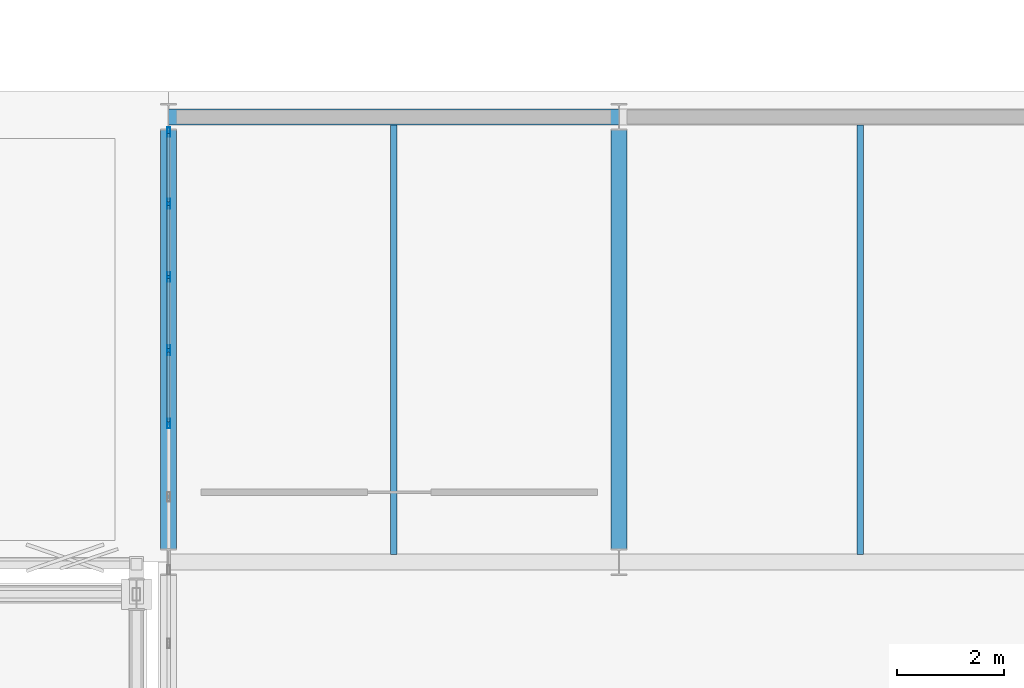
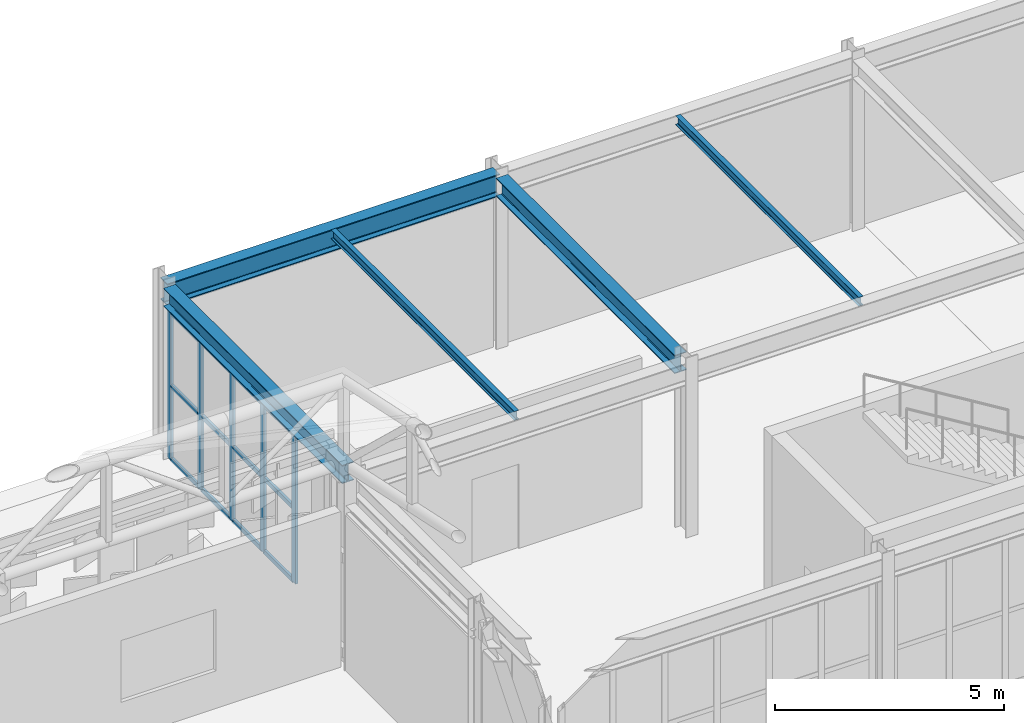
# One storey, part 37 of 112: 17 members, 5 beams, 1 element without a shape of its own.
"""IFC4 building model written with IfcOpenShell, lengths in metres."""

from ifc_helpers import new_model, si_unit, direction, frame, origin, origin_2d, place, context, subcontext, project, spatial, hollow_rectangle, i_section, extrude, material, material_profile, profile_set, type_object, element, aggregate, save


model = new_model("IFC4")

# Units and contexts
model_context = context("Model", 3, precision=1e-05, world=origin(), true_north=direction((0.0, 1.0)))
body_context = subcontext(model_context, "Body", "Model", "MODEL_VIEW")
ifc_project = project(units=[si_unit("LENGTHUNIT", "METRE"), si_unit("AREAUNIT", "SQUARE_METRE"), si_unit("VOLUMEUNIT", "CUBIC_METRE"), si_unit("PLANEANGLEUNIT", "RADIAN"), si_unit("MASSUNIT", "GRAM", prefix="KILO")], contexts=[model_context])

# Site, building, storey
site_placement = place(None, origin())
site = spatial("IfcSite", under=ifc_project, at=site_placement, CompositionType="ELEMENT")
building_placement = place(site_placement, origin())
building = spatial("IfcBuilding", under=site, at=building_placement, Name="Kaldris Quays Convention Centre", CompositionType="ELEMENT")
storey_placement = place(building_placement, frame((0.0, 0.0, 16.800048828125)))
storey = spatial("IfcBuildingStorey", under=building, at=storey_placement, Name="L03", CompositionType="ELEMENT", Elevation=16.800048828125)

# Curtain wall, members
ifc_material_1 = material(Name="Anodized aluminium AW-6060 and triple glazing", Category="aluminium")
curtain_wall_type = type_object("IfcCurtainWallType", Name="UNITISED CURTAIN WALL CW04", PredefinedType="NOTDEFINED", material=ifc_material_1)
curtain_wall_placement = place(storey_placement, origin())
curtain_wall = element("IfcCurtainWall", 1, at=curtain_wall_placement, inside=storey, type_object=curtain_wall_type, Name="L03 Unitised Curtain Wall CW04 128", PredefinedType="NOTDEFINED")
ifc_material_2 = material(Name="Anodized aluminium AW-6060", Category="aluminium")
ifc_material_profile_1 = material_profile(ifc_material_2, hollow_rectangle(XDim=0.06005859375, YDim=0.179931640625, WallThickness=0.0048828125, at=origin_2d()), Name="RHS 180x60x5")
ifc_profile_set_1 = profile_set([ifc_material_profile_1], Name="Anodized aluminium AW-6060")
member_type_1 = type_object("IfcMemberType", Name="CURTAIN MULLION CWM2", PredefinedType="MULLION", material=ifc_profile_set_1)
member_1_placement = place(storey_placement, frame((83.60009765625, 49.183349609375, 0.0), z_axis=(0.0, 0.0, 1.0), x_axis=(-1.0, 0.0, 0.0)))
member_1 = element("IfcMember", 2, at=member_1_placement, type_object=member_type_1, Name="CW04 mullion 9", PredefinedType="MULLION", context=body_context, shape_type="SweptSolid", body=[
    extrude(hollow_rectangle(XDim=0.06005859375, YDim=0.179931640625, WallThickness=0.0048828125, at=origin_2d()), origin(), (0.0, 0.0, 1.0), 3.96484375),
])
member_2_placement = place(storey_placement, frame((83.60009765625, 50.550048828125, 0.0), z_axis=(0.0, 0.0, 1.0), x_axis=(-1.0, 0.0, 0.0)))
member_2 = element("IfcMember", 3, at=member_2_placement, type_object=member_type_1, Name="CW04 mullion 10", PredefinedType="MULLION", context=body_context, shape_type="SweptSolid", body=[
    extrude(hollow_rectangle(XDim=0.06005859375, YDim=0.179931640625, WallThickness=0.0048828125, at=origin_2d()), origin(), (0.0, 0.0, 1.0), 3.96484375),
])
member_3_placement = place(storey_placement, frame((83.60009765625, 51.916748046875, 0.0), z_axis=(0.0, 0.0, 1.0), x_axis=(-1.0, 0.0, 0.0)))
member_3 = element("IfcMember", 4, at=member_3_placement, type_object=member_type_1, Name="CW04 mullion 11", PredefinedType="MULLION", context=body_context, shape_type="SweptSolid", body=[
    extrude(hollow_rectangle(XDim=0.06005859375, YDim=0.179931640625, WallThickness=0.0048828125, at=origin_2d()), origin(), (0.0, 0.0, 1.0), 3.96484375),
])
member_4_placement = place(storey_placement, frame((83.60009765625, 53.283447265625, 0.0), z_axis=(0.0, 0.0, 1.0), x_axis=(-1.0, 0.0, 0.0)))
member_4 = element("IfcMember", 5, at=member_4_placement, type_object=member_type_1, Name="CW04 mullion 12", PredefinedType="MULLION", context=body_context, shape_type="SweptSolid", body=[
    extrude(hollow_rectangle(XDim=0.06005859375, YDim=0.179931640625, WallThickness=0.0048828125, at=origin_2d()), origin(), (0.0, 0.0, 1.0), 3.96484375),
])
member_5_placement = place(storey_placement, frame((83.60009765625, 54.6201171875, 0.0), z_axis=(0.0, 0.0, 1.0), x_axis=(-1.0, 0.0, 0.0)))
member_5 = element("IfcMember", 6, at=member_5_placement, type_object=member_type_1, Name="CW04 mullion 13", PredefinedType="MULLION", context=body_context, shape_type="SweptSolid", body=[
    extrude(hollow_rectangle(XDim=0.06005859375, YDim=0.179931640625, WallThickness=0.0048828125, at=origin_2d()), origin(), (0.0, 0.0, 1.0), 3.96484375),
])
ifc_material_profile_2 = material_profile(ifc_material_2, hollow_rectangle(XDim=0.06005859375, YDim=0.1201171875, WallThickness=0.00390625, at=origin_2d()), Name="RHS 120x60x4")
ifc_profile_set_2 = profile_set([ifc_material_profile_2], Name="Anodized aluminium AW-6060")
member_type_2 = type_object("IfcMemberType", Name="CURTAIN TRANSOM CWT1", PredefinedType="USERDEFINED", material=ifc_profile_set_2)
member_6_placement = place(storey_placement, frame((83.60009765625, 49.21337890625, 0.030029296875), z_axis=(0.0, 1.0, 0.0), x_axis=(-1.0, 0.0, 0.0)))
member_6 = element("IfcMember", 7, at=member_6_placement, type_object=member_type_2, Name="CW04 transom 9.1", ObjectType="TRANSOM", PredefinedType="USERDEFINED", context=body_context, shape_type="SweptSolid", body=[
    extrude(hollow_rectangle(XDim=0.06005859375, YDim=0.1201171875, WallThickness=0.00390625, at=origin_2d()), origin(), (0.0, 0.0, 1.0), 1.306640625),
])
member_7_placement = place(storey_placement, frame((83.60009765625, 49.21337890625, 1.98193359375), z_axis=(0.0, 1.0, 0.0), x_axis=(-1.0, 0.0, 0.0)))
member_7 = element("IfcMember", 8, at=member_7_placement, type_object=member_type_2, Name="CW04 transom 9.2", ObjectType="TRANSOM", PredefinedType="USERDEFINED", context=body_context, shape_type="SweptSolid", body=[
    extrude(hollow_rectangle(XDim=0.06005859375, YDim=0.1201171875, WallThickness=0.00390625, at=origin_2d()), origin(), (0.0, 0.0, 1.0), 1.306640625),
])
member_8_placement = place(storey_placement, frame((83.60009765625, 49.21337890625, 3.93505859375), z_axis=(0.0, 1.0, 0.0), x_axis=(-1.0, 0.0, 0.0)))
member_8 = element("IfcMember", 9, at=member_8_placement, type_object=member_type_2, Name="CW04 transom 9.3", ObjectType="TRANSOM", PredefinedType="USERDEFINED", context=body_context, shape_type="SweptSolid", body=[
    extrude(hollow_rectangle(XDim=0.06005859375, YDim=0.1201171875, WallThickness=0.00390625, at=origin_2d()), origin(), (0.0, 0.0, 1.0), 1.306640625),
])
member_9_placement = place(storey_placement, frame((83.60009765625, 50.580078125, 0.030029296875), z_axis=(0.0, 1.0, 0.0), x_axis=(-1.0, 0.0, 0.0)))
member_9 = element("IfcMember", 10, at=member_9_placement, type_object=member_type_2, Name="CW04 transom 10.1", ObjectType="TRANSOM", PredefinedType="USERDEFINED", context=body_context, shape_type="SweptSolid", body=[
    extrude(hollow_rectangle(XDim=0.06005859375, YDim=0.1201171875, WallThickness=0.00390625, at=origin_2d()), origin(), (0.0, 0.0, 1.0), 1.306640625),
])
member_10_placement = place(storey_placement, frame((83.60009765625, 50.580078125, 1.98193359375), z_axis=(0.0, 1.0, 0.0), x_axis=(-1.0, 0.0, 0.0)))
member_10 = element("IfcMember", 11, at=member_10_placement, type_object=member_type_2, Name="CW04 transom 10.2", ObjectType="TRANSOM", PredefinedType="USERDEFINED", context=body_context, shape_type="SweptSolid", body=[
    extrude(hollow_rectangle(XDim=0.06005859375, YDim=0.1201171875, WallThickness=0.00390625, at=origin_2d()), origin(), (0.0, 0.0, 1.0), 1.306640625),
])
member_11_placement = place(storey_placement, frame((83.60009765625, 50.580078125, 3.93505859375), z_axis=(0.0, 1.0, 0.0), x_axis=(-1.0, 0.0, 0.0)))
member_11 = element("IfcMember", 12, at=member_11_placement, type_object=member_type_2, Name="CW04 transom 10.3", ObjectType="TRANSOM", PredefinedType="USERDEFINED", context=body_context, shape_type="SweptSolid", body=[
    extrude(hollow_rectangle(XDim=0.06005859375, YDim=0.1201171875, WallThickness=0.00390625, at=origin_2d()), origin(), (0.0, 0.0, 1.0), 1.306640625),
])
member_12_placement = place(storey_placement, frame((83.60009765625, 51.94677734375, 0.030029296875), z_axis=(0.0, 1.0, 0.0), x_axis=(-1.0, 0.0, 0.0)))
member_12 = element("IfcMember", 13, at=member_12_placement, type_object=member_type_2, Name="CW04 transom 11.1", ObjectType="TRANSOM", PredefinedType="USERDEFINED", context=body_context, shape_type="SweptSolid", body=[
    extrude(hollow_rectangle(XDim=0.06005859375, YDim=0.1201171875, WallThickness=0.00390625, at=origin_2d()), origin(), (0.0, 0.0, 1.0), 1.306640625),
])
member_13_placement = place(storey_placement, frame((83.60009765625, 51.94677734375, 1.98193359375), z_axis=(0.0, 1.0, 0.0), x_axis=(-1.0, 0.0, 0.0)))
member_13 = element("IfcMember", 14, at=member_13_placement, type_object=member_type_2, Name="CW04 transom 11.2", ObjectType="TRANSOM", PredefinedType="USERDEFINED", context=body_context, shape_type="SweptSolid", body=[
    extrude(hollow_rectangle(XDim=0.06005859375, YDim=0.1201171875, WallThickness=0.00390625, at=origin_2d()), origin(), (0.0, 0.0, 1.0), 1.306640625),
])
member_14_placement = place(storey_placement, frame((83.60009765625, 51.94677734375, 3.93505859375), z_axis=(0.0, 1.0, 0.0), x_axis=(-1.0, 0.0, 0.0)))
member_14 = element("IfcMember", 15, at=member_14_placement, type_object=member_type_2, Name="CW04 transom 11.3", ObjectType="TRANSOM", PredefinedType="USERDEFINED", context=body_context, shape_type="SweptSolid", body=[
    extrude(hollow_rectangle(XDim=0.06005859375, YDim=0.1201171875, WallThickness=0.00390625, at=origin_2d()), origin(), (0.0, 0.0, 1.0), 1.306640625),
])
member_15_placement = place(storey_placement, frame((83.60009765625, 53.313232421875, 0.030029296875), z_axis=(0.0, 1.0, 0.0), x_axis=(-1.0, 0.0, 0.0)))
member_15 = element("IfcMember", 16, at=member_15_placement, type_object=member_type_2, Name="CW04 transom 12.1", ObjectType="TRANSOM", PredefinedType="USERDEFINED", context=body_context, shape_type="SweptSolid", body=[
    extrude(hollow_rectangle(XDim=0.06005859375, YDim=0.1201171875, WallThickness=0.00390625, at=origin_2d()), origin(), (0.0, 0.0, 1.0), 1.27685546875),
])
member_16_placement = place(storey_placement, frame((83.60009765625, 53.313232421875, 1.98193359375), z_axis=(0.0, 1.0, 0.0), x_axis=(-1.0, 0.0, 0.0)))
member_16 = element("IfcMember", 17, at=member_16_placement, type_object=member_type_2, Name="CW04 transom 12.2", ObjectType="TRANSOM", PredefinedType="USERDEFINED", context=body_context, shape_type="SweptSolid", body=[
    extrude(hollow_rectangle(XDim=0.06005859375, YDim=0.1201171875, WallThickness=0.00390625, at=origin_2d()), origin(), (0.0, 0.0, 1.0), 1.27685546875),
])
member_17_placement = place(storey_placement, frame((83.60009765625, 53.313232421875, 3.93505859375), z_axis=(0.0, 1.0, 0.0), x_axis=(-1.0, 0.0, 0.0)))
member_17 = element("IfcMember", 18, at=member_17_placement, type_object=member_type_2, Name="CW04 transom 12.3", ObjectType="TRANSOM", PredefinedType="USERDEFINED", context=body_context, shape_type="SweptSolid", body=[
    extrude(hollow_rectangle(XDim=0.06005859375, YDim=0.1201171875, WallThickness=0.00390625, at=origin_2d()), origin(), (0.0, 0.0, 1.0), 1.27685546875),
])
aggregate(curtain_wall, [member_1, member_2, member_3, member_4, member_5, member_6, member_7, member_8, member_9, member_10, member_11, member_12, member_13, member_14, member_15, member_16, member_17])

# Beams
ifc_material_3 = material(Name="Steel S355J2", Category="steel")
ifc_material_profile_3 = material_profile(ifc_material_3, i_section(OverallWidth=0.300048828125, OverallDepth=0.590087890625, WebThickness=0.012939453125, FlangeThickness=0.02490234375, FilletRadius=0.027099609375, at=origin_2d()), Name="HEA 600")
ifc_profile_set_3 = profile_set([ifc_material_profile_3], Name="Steel S355J2")
beam_type_1 = type_object("IfcBeamType", Name="STRUCTURAL BEAM BM08", PredefinedType="BEAM", material=ifc_profile_set_3)
beam_placement = place(storey_placement, frame((83.601318359375, 54.89990234375, 4.284912109375), z_axis=(1.0, 0.0, 0.0), x_axis=(0.0, 1.0, 0.0)))
element("IfcBeam", 19, at=beam_placement, inside=storey, type_object=beam_type_1, Name="L03 Girder BM08 19", PredefinedType="BEAM", context=body_context, shape_type="SweptSolid", body=[
    extrude(i_section(OverallWidth=0.300048828125, OverallDepth=0.590087890625, WebThickness=0.012939453125, FlangeThickness=0.02490234375, FilletRadius=0.027099609375, at=origin_2d()), origin(), (0.0, 0.0, 1.0), 8.3974609375),
])
ifc_material_profile_4 = material_profile(ifc_material_3, i_section(OverallWidth=0.300048828125, OverallDepth=0.489990234375, WebThickness=0.011962890625, FlangeThickness=0.02294921875, FilletRadius=0.027099609375, at=origin_2d()), Name="HEA 500")
ifc_profile_set_4 = profile_set([ifc_material_profile_4], Name="Steel S355J2")
beam_type_2 = type_object("IfcBeamType", Name="STRUCTURAL BEAM BM09", PredefinedType="BEAM", material=ifc_profile_set_4)
for number, where, z_axis, x_axis, name in (
    (20, (83.60009765625, 46.843994140625, 4.3369140625), (0.0, 1.0, 0.0), (-1.0, 0.0, 0.0), "L03 Girder BM09 57"),
    (21, (92.0, 46.843994140625, 4.3349609375), (0.0, 1.0, 0.0), (-1.0, 0.0, 0.0), "L03 Girder BM09 58"),
):
    element("IfcBeam", number, at=place(storey_placement, frame(where, z_axis=z_axis, x_axis=x_axis)), inside=storey, type_object=beam_type_2, Name=name, PredefinedType="BEAM", context=body_context, shape_type="SweptSolid", body=[
        extrude(i_section(OverallWidth=0.300048828125, OverallDepth=0.489990234375, WebThickness=0.011962890625, FlangeThickness=0.02294921875, FilletRadius=0.027099609375, at=origin_2d()), origin(), (0.0, 0.0, 1.0), 7.81201171875),
    ])
ifc_material_profile_5 = material_profile(ifc_material_3, i_section(OverallWidth=0.1201171875, OverallDepth=0.239990234375, WebThickness=0.006103515625, FlangeThickness=0.009765625, FilletRadius=0.014892578125, at=origin_2d()), Name="IPE 240")
ifc_profile_set_5 = profile_set([ifc_material_profile_5], Name="Steel S355J2")
beam_type_3 = type_object("IfcBeamType", Name="STRUCTURAL BEAM JT05", PredefinedType="JOIST", material=ifc_profile_set_5)
for number, where, z_axis, x_axis, name in (
    (22, (87.800048828125, 46.743896484375, 4.4599609375), (0.0, 1.0, 0.0), (-1.0, 0.0, 0.0), "L03 Secondary Joist JT05 3"),
    (23, (96.5, 46.743896484375, 4.4599609375), (0.0, 1.0, 0.0), (-1.0, 0.0, 0.0), "L03 Secondary Joist JT05 4"),
):
    element("IfcBeam", number, at=place(storey_placement, frame(where, z_axis=z_axis, x_axis=x_axis)), inside=storey, type_object=beam_type_3, Name=name, PredefinedType="JOIST", context=body_context, shape_type="SweptSolid", body=[
        extrude(i_section(OverallWidth=0.1201171875, OverallDepth=0.239990234375, WebThickness=0.006103515625, FlangeThickness=0.009765625, FilletRadius=0.014892578125, at=origin_2d()), origin(), (0.0, 0.0, 1.0), 8.01220703125),
    ])

save(model, "model.ifc")
